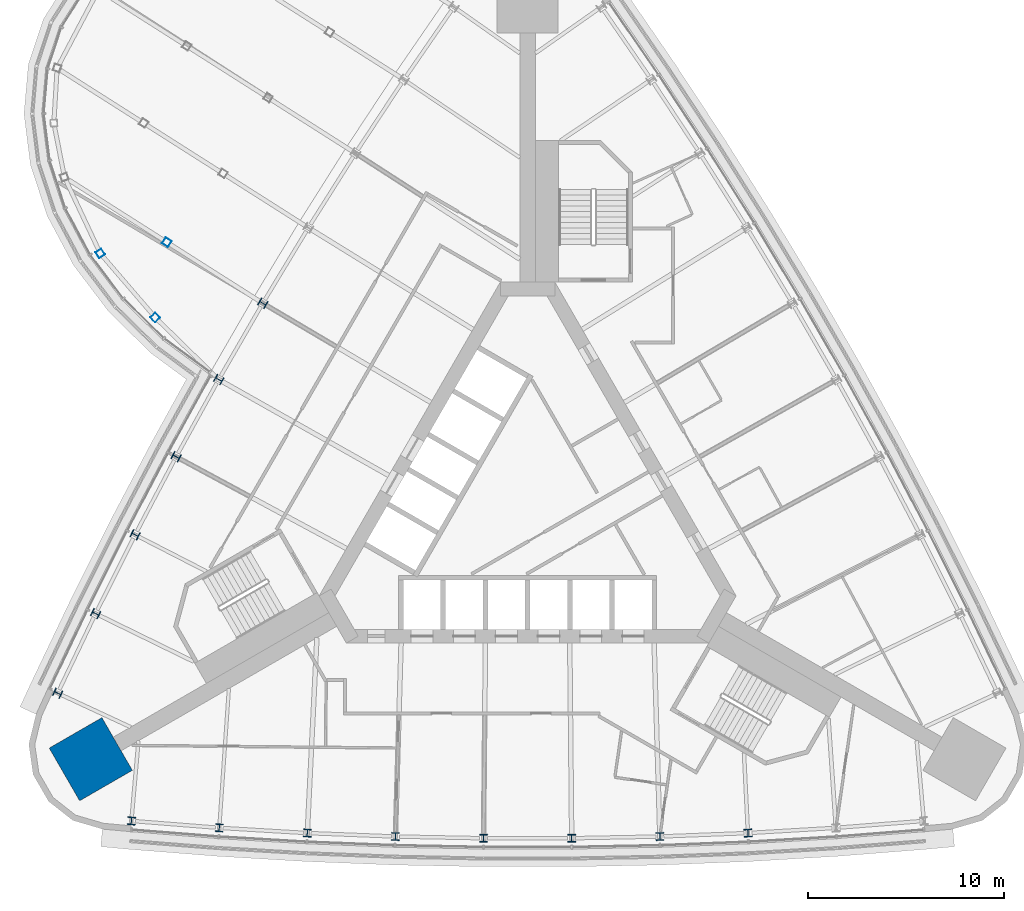
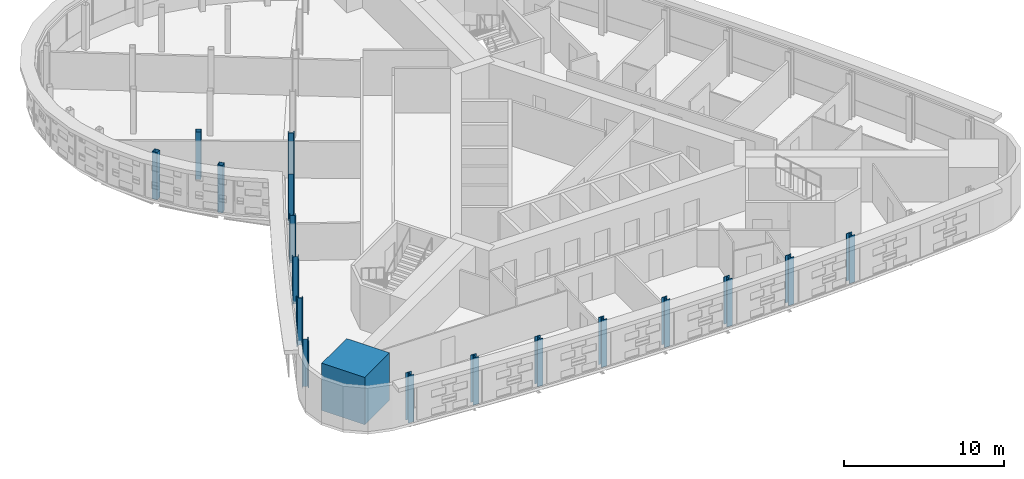
# One storey, part 1 of 17: 18 columns.
"""IFC4 building model written with IfcOpenShell, lengths in metres."""

from ifc_helpers import new_model, si_unit, direction, frame, origin, origin_2d, place, context, subcontext, project, spatial, rectangle, hollow_rectangle, i_section, extrude, material, material_profile, profile_set, type_object, element, save


model = new_model("IFC4")

# Units and contexts
model_context = context("Model", 3, precision=1e-05, world=origin(), true_north=direction((0.0, 1.0)))
body_context = subcontext(model_context, "Body", "Model", "MODEL_VIEW")
ifc_project = project(units=[si_unit("LENGTHUNIT", "METRE"), si_unit("AREAUNIT", "SQUARE_METRE"), si_unit("VOLUMEUNIT", "CUBIC_METRE"), si_unit("PLANEANGLEUNIT", "RADIAN"), si_unit("MASSUNIT", "GRAM", prefix="KILO")], contexts=[model_context])

# Site, building, storey
site_placement = place(None, origin())
site = spatial("IfcSite", under=ifc_project, at=site_placement, CompositionType="ELEMENT")
building_placement = place(site_placement, origin())
building = spatial("IfcBuilding", under=site, at=building_placement, Name="Noor Cloister Tower", CompositionType="ELEMENT")
storey_placement = place(building_placement, frame((0.0, 0.0, 98.699951171875)))
storey = spatial("IfcBuildingStorey", under=building, at=storey_placement, Name="L25", CompositionType="ELEMENT", Elevation=98.699951171875)

# Columns
ifc_material_1 = material(Name="Steel ASTM A992 Gr 50", Category="steel")
ifc_material_profile_1 = material_profile(ifc_material_1, i_section(OverallWidth=0.40087890625, OverallDepth=0.39892578125, WebThickness=0.02490234375, FlangeThickness=0.03955078125, FilletRadius=0.015380859375, at=origin_2d()), Name="W360x314")
ifc_profile_set_1 = profile_set([ifc_material_profile_1], Name="Steel ASTM A992 Gr 50")
column_type_1 = type_object("IfcColumnType", Name="Column W360x314", PredefinedType="COLUMN", material=ifc_profile_set_1)
for number, where, z_axis, x_axis, name in (
    (1, (-13.484375, 10.376953125, -0.199951171875), (0.0, 0.0, 1.0), (-0.508498755365, -0.861062724656, 0.0), "Column NW 05 L25"),
    (2, (-15.72900390625, 6.489501953125, -0.199951171875), (0.0, 0.0, 1.0), (-0.491452816121, -0.870904202267, 0.0), "Column NW 06 L25"),
    (3, (-17.896728515625, 2.558349609375, -0.199951171875), (0.0, 0.0, 1.0), (-0.474216478854, -0.880408275281, 0.0), "Column NW 07 L25"),
    (4, (-19.986328125, -1.414794921875, -0.199951171875), (0.0, 0.0, 1.0), (-0.456796421257, -0.889571261635, 0.0), "Column NW 08 L25"),
    (5, (-21.99755859375, -5.427978515625, -0.199951171875), (0.0, 0.0, 1.0), (-0.439199392158, -0.898389611432, 0.0), "Column NW 09 L25"),
    (6, (-23.929443359375, -9.480224609375, -0.199951171875), (0.0, 0.0, 1.0), (-0.421432208989, -0.906859908269, 0.0), "Column NW 10 L25"),
    (7, (-20.1748046875, -15.9833984375, -0.199951171875), (0.0, 0.0, 1.0), (0.99607982273, -0.088458955177, 0.0), "Column S 01 L25"),
    (8, (-15.69970703125, -16.33642578125, -0.199951171875), (0.0, 0.0, 1.0), (0.997627922075, -0.06883697478, 0.0), "Column S 02 L25"),
    (9, (-11.218505859375, -16.601318359375, -0.199951171875), (0.0, 0.0, 1.0), (0.998789521681, -0.049188325651, 0.0), "Column S 03 L25"),
    (10, (-6.732666015625, -16.778076171875, -0.199951171875), (0.0, 0.0, 1.0), (0.999564171522, -0.02952062006, 0.0), "Column S 04 L25"),
    (11, (-2.24462890625, -16.866455078125, -0.199951171875), (0.0, 0.0, 1.0), (0.999951571487, -0.009841477611, 0.0), "Column S 05 L25"),
    (12, (2.24462890625, -16.866455078125, -0.199951171875), (0.0, 0.0, 1.0), (0.999951571487, 0.009841477611, 0.0), "Column S 06 L25"),
    (13, (6.732666015625, -16.778076171875, -0.199951171875), (0.0, 0.0, 1.0), (0.999564171522, 0.02952062006, 0.0), "Column S 07 L25"),
    (14, (11.218505859375, -16.601318359375, -0.199951171875), (0.0, 0.0, 1.0), (0.998789521681, 0.049188325651, 0.0), "Column S 08 L25"),
):
    element("IfcColumn", number, at=place(storey_placement, frame(where, z_axis=z_axis, x_axis=x_axis)), inside=storey, type_object=column_type_1, Name=name, PredefinedType="COLUMN", context=body_context, shape_type="SweptSolid", body=[
        extrude(i_section(OverallWidth=0.40087890625, OverallDepth=0.39892578125, WebThickness=0.02490234375, FlangeThickness=0.03955078125, FilletRadius=0.015380859375, at=origin_2d()), origin(), (0.0, 0.0, 1.0), 3.60009765625),
    ])
ifc_material_2 = material(Name="Concrete C80/95", Category="concrete")
ifc_material_profile_2 = material_profile(ifc_material_2, rectangle(XDim=3.10009765625, YDim=3.10009765625, at=origin_2d()), Name="RC 3100x3100")
ifc_profile_set_2 = profile_set([ifc_material_profile_2], Name="Concrete C80/95")
column_type_2 = type_object("IfcColumnType", Name="Corner pier 3100 x 3100 C80/95", PredefinedType="COLUMN", material=ifc_profile_set_2)
column_placement = place(storey_placement, frame((-22.242919921875, -12.842041015625, -0.199951171875), z_axis=(0.0, 0.0, 1.0), x_axis=(-0.866025403784, -0.5, 0.0)))
element("IfcColumn", 15, at=column_placement, inside=storey, type_object=column_type_2, Name="Corner pier SW L25", PredefinedType="COLUMN", context=body_context, shape_type="SweptSolid", body=[
    extrude(rectangle(XDim=3.10009765625, YDim=3.10009765625, at=origin_2d()), origin(), (0.0, 0.0, 1.0), 3.60009765625),
])
ifc_material_3 = material(Name="Steel ASTM A500 Gr C", Category="steel")
ifc_material_profile_3 = material_profile(ifc_material_3, hollow_rectangle(XDim=0.35595703125, YDim=0.35595703125, WallThickness=0.0126953125, at=origin_2d()), Name="HSS355.6x355.6x12.7")
ifc_profile_set_3 = profile_set([ifc_material_profile_3], Name="Steel ASTM A500 Gr C")
column_type_3 = type_object("IfcColumnType", Name="Pod post HSS355.6x355.6x12.7", PredefinedType="COLUMN", material=ifc_profile_set_3)
for number, where, z_axis, x_axis, name in (
    (16, (-18.37158203125, 13.482666015625, -0.199951171875), (0.0, 0.0, 1.0), (-0.843995500683, 0.536350253871, 0.0), "Pod post 2 L25 line 5 node 1"),
    (17, (-21.759033203125, 12.91259765625, -0.199951171875), (0.0, 0.0, 1.0), (0.543433781769, -0.839452038435, 0.0), "Pod post 2 L25 ring 10"),
    (18, (-18.95947265625, 9.65087890625, -0.199951171875), (0.0, 0.0, 1.0), (0.683681183545, -0.729780815908, 0.0), "Pod post 2 L25 ring 11"),
):
    element("IfcColumn", number, at=place(storey_placement, frame(where, z_axis=z_axis, x_axis=x_axis)), inside=storey, type_object=column_type_3, Name=name, PredefinedType="COLUMN", context=body_context, shape_type="SweptSolid", body=[
        extrude(hollow_rectangle(XDim=0.35595703125, YDim=0.35595703125, WallThickness=0.0126953125, at=origin_2d()), origin(), (0.0, 0.0, 1.0), 3.60009765625),
    ])

save(model, "model.ifc")
